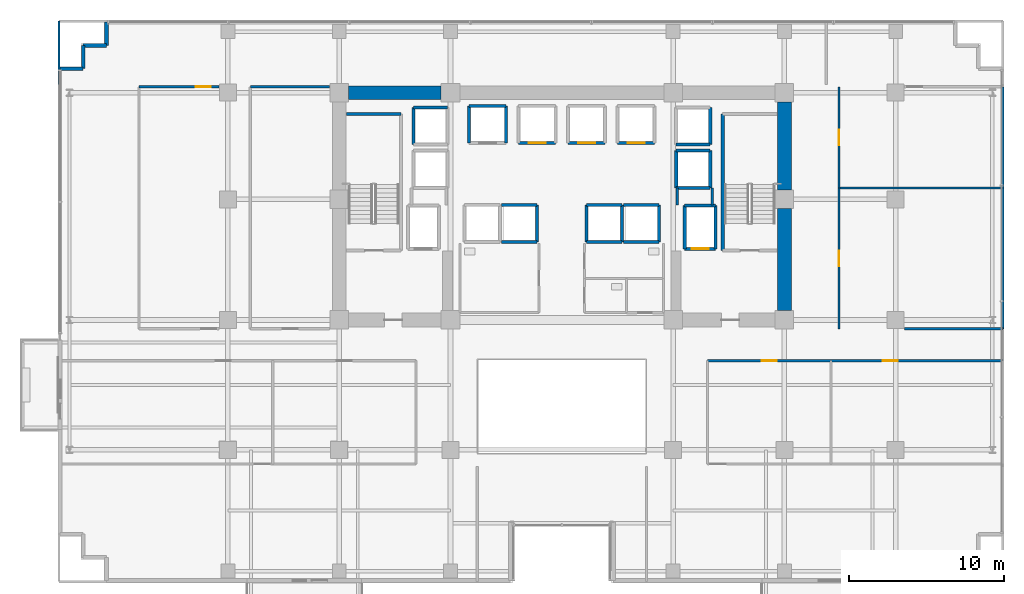
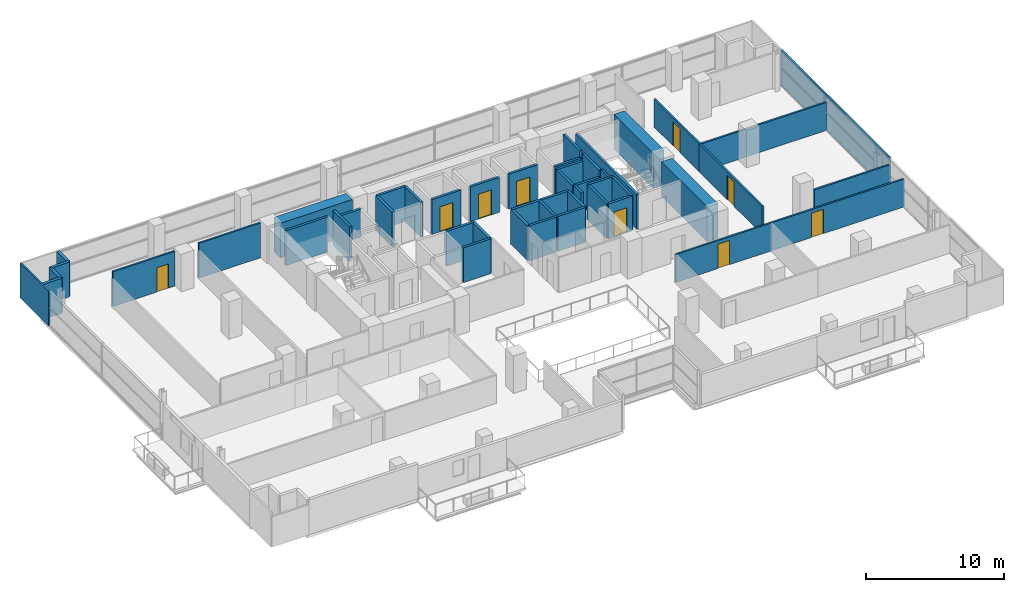
# One storey, part 25 of 30: 50 walls, 9 doors, 9 openings.
"""IFC4 building model written with IfcOpenShell, lengths in metres."""

from ifc_helpers import new_model, si_unit, direction, frame, frame_2d, origin, place, context, subcontext, project, spatial, rectangle, extrude, source, transform, mapped, material, layer, layer_set, type_object, element, fill, save


model = new_model("IFC4")

# Units and contexts
model_context = context("Model", 3, precision=1e-05, world=origin(), true_north=direction((0.0, 1.0)))
body_context = subcontext(model_context, "Body", "Model", "MODEL_VIEW")
ifc_project = project(units=[si_unit("LENGTHUNIT", "METRE"), si_unit("AREAUNIT", "SQUARE_METRE"), si_unit("VOLUMEUNIT", "CUBIC_METRE"), si_unit("PLANEANGLEUNIT", "RADIAN"), si_unit("MASSUNIT", "GRAM", prefix="KILO")], contexts=[model_context])

# Site, building, storey
site_placement = place(None, origin())
site = spatial("IfcSite", under=ifc_project, at=site_placement, CompositionType="ELEMENT")
building_placement = place(site_placement, origin())
building = spatial("IfcBuilding", under=site, at=building_placement, Name="Zarnakvel Exchange Tower", CompositionType="ELEMENT")
storey_placement = place(building_placement, frame((0.0, 0.0, 40.60009765625)))
storey = spatial("IfcBuildingStorey", under=building, at=storey_placement, Name="L10", CompositionType="ELEMENT", Elevation=40.60009765625)

# Walls
ifc_material_1 = material(Name="Concrete C80/95", Category="concrete")
ifc_layer_1 = layer(ifc_material_1, 0.89990234375)
ifc_layer_set_1 = layer_set([ifc_layer_1], Name="Concrete C80/95")
wall_type_1 = type_object("IfcWallType", Name="CW-C1", PredefinedType="SHEAR", material=ifc_layer_set_1)
wall_1_placement = place(storey_placement, frame((-13.800048828125, 13.5, 0.0), z_axis=(0.0, 0.0, 1.0), x_axis=(1.0, 0.0, 0.0)))
element("IfcWall", 1, at=wall_1_placement, inside=storey, type_object=wall_type_1, Name="L10 Rear Core Shear Wall N1 (CW-C1)", PredefinedType="SHEAR", context=body_context, shape_type="SweptSolid", body=[
    extrude(rectangle(XDim=6.0, YDim=0.89990234375, at=frame_2d((3.0, 0.0))), origin(), (0.0, 0.0, 1.0), 3.074951171875),
])
wall_2_placement = place(storey_placement, frame((14.39990234375, -0.60009765625, 0.0), z_axis=(0.0, 0.0, 1.0), x_axis=(0.0, 1.0, 0.0)))
element("IfcWall", 2, at=wall_2_placement, inside=storey, type_object=wall_type_1, Name="L10 Rear Core Shear Wall E1 (CW-C1)", PredefinedType="SHEAR", context=body_context, shape_type="SweptSolid", body=[
    extrude(rectangle(XDim=6.60009765625, YDim=0.89990234375, at=frame_2d((3.300048828125, 0.0))), origin(), (0.0, 0.0, 1.0), 3.074951171875),
])
wall_3_placement = place(storey_placement, frame((14.39990234375, 7.199951171875, 0.0), z_axis=(0.0, 0.0, 1.0), x_axis=(0.0, 1.0, 0.0)))
element("IfcWall", 3, at=wall_3_placement, inside=storey, type_object=wall_type_1, Name="L10 Rear Core Shear Wall E2 (CW-C1)", PredefinedType="SHEAR", context=body_context, shape_type="SweptSolid", body=[
    extrude(rectangle(XDim=5.699951171875, YDim=0.89990234375, at=frame_2d((2.85009765625, 0.0))), origin(), (0.0, 0.0, 1.0), 3.074951171875),
])
ifc_material_2 = material(Name="Precast concrete C40/50", Category="concrete")
ifc_layer_2 = layer(ifc_material_2, 0.239990234375)
ifc_layer_set_2 = layer_set([ifc_layer_2], Name="Precast concrete C40/50")
wall_type_2 = type_object("IfcWallType", Name="EW-02", PredefinedType="SOLIDWALL", material=ifc_layer_set_2)
for number, where, z_axis, x_axis, name in (
    (4, (-30.9599609375, 15.06005859375, 0.0), (0.0, 0.0, 1.0), (-1.0, 0.0, 0.0), "L10 Exterior Precast Spandrel Wall EWC-L10-03 (EW-02)"),
    (5, (-30.9599609375, 16.56005859375, 0.0), (0.0, 0.0, 1.0), (0.0, -1.0, 0.0), "L10 Exterior Precast Spandrel Wall EWC-L10-04 (EW-02)"),
    (6, (-29.4599609375, 16.56005859375, 0.0), (0.0, 0.0, 1.0), (-1.0, 0.0, 0.0), "L10 Exterior Precast Spandrel Wall EWC-L10-05 (EW-02)"),
    (7, (-29.4599609375, 18.06005859375, 0.0), (0.0, 0.0, 1.0), (0.0, -1.0, 0.0), "L10 Exterior Precast Spandrel Wall EWC-L10-06 (EW-02)"),
):
    element("IfcWall", number, at=place(storey_placement, frame(where, z_axis=z_axis, x_axis=x_axis)), inside=storey, type_object=wall_type_2, Name=name, PredefinedType="SOLIDWALL", context=body_context, shape_type="SweptSolid", body=[
        extrude(rectangle(XDim=1.5, YDim=0.239990234375, at=frame_2d((0.75, 0.0))), origin(), (0.0, 0.0, 1.0), 3.074951171875),
    ])

# Wall, opening, door
ifc_material_3 = material(Name="Fire-Rated Gypsum Stud Partition", Category="gypsum")
ifc_layer_3 = layer(ifc_material_3, 0.14990234375)
ifc_layer_set_3 = layer_set([ifc_layer_3], Name="Fire-Rated Gypsum Stud Partition")
wall_type_3 = type_object("IfcWallType", Name="PT-01", PredefinedType="PARTITIONING", material=ifc_layer_set_3)
wall_4_placement = place(storey_placement, frame((9.429931640625, -3.830078125, 0.0), z_axis=(0.0, 0.0, 1.0), x_axis=(1.0, 0.0, 0.0)))
wall_4 = element("IfcWall", 8, at=wall_4_placement, inside=storey, type_object=wall_type_3, Name="L10 Partition Wall PWALL-L10-033 (PT-01)", PredefinedType="PARTITIONING", context=body_context, shape_type="SweptSolid", body=[
    extrude(rectangle(XDim=7.985107421875, YDim=0.14990234375, at=frame_2d((3.99267578125, 0.0))), origin(), (0.0, 0.0, 1.0), 2.46484375),
])
opening_1_placement = place(wall_4_placement, frame((3.501953125, 0.0, 0.0)))
opening_1 = element("IfcOpeningElement", 9, at=opening_1_placement, cuts=wall_4, Name="Opening D-L10-12", PredefinedType="OPENING", context=body_context, shape_type="SweptSolid", body=[
    extrude(rectangle(XDim=0.97998046875, YDim=2.14990234375, at=frame_2d((0.489990234375, 1.074951171875))), frame((0.0, 0.0849609375, 0.0), z_axis=(0.0, -1.0, 0.0), x_axis=(1.0, 0.0, 0.0)), (0.0, 0.0, 1.0), 0.169921875),
])
ifc_material_4 = material(Name="Timber Acoustic Veneer", Category="wood")
door_type_1 = type_object("IfcDoorType", Name="DT-05", OperationType="NOTDEFINED", PredefinedType="DOOR", material=ifc_material_4)
shared_shape_1 = source(origin(), body_context, "Body", "SweptSolid", [
    extrude(rectangle(XDim=0.97998046875, YDim=2.14990234375, at=frame_2d((0.489990234375, 1.074951171875))), frame((0.0, 0.02490234375, 0.0), z_axis=(0.0, -1.0, 0.0), x_axis=(1.0, 0.0, 0.0)), (0.0, 0.0, 1.0), 0.050048828125),
])
door_1_placement = place(opening_1_placement, origin())
door_1 = element("IfcDoor", 10, at=door_1_placement, inside=storey, type_object=door_type_1, Name="L10 Executive Office Door D-L10-12", OperationType="SINGLE_SWING_RIGHT", OverallHeight=2.14990234375, OverallWidth=0.97998046875, PredefinedType="DOOR", context=body_context, shape_type="MappedRepresentation", body=[
    mapped(shared_shape_1, transform((0.0, 0.0, 0.0), x_axis=(1.0, 0.0, 0.0), y_axis=(0.0, 1.0, 0.0), z_axis=(0.0, 0.0, 1.0), scale=1.0)),
])
fill(opening_1, door_1)

wall_5_placement = place(storey_placement, frame((17.4150390625, -3.830078125, 0.0), z_axis=(0.0, 0.0, 1.0), x_axis=(1.0, 0.0, 0.0)))
wall_5 = element("IfcWall", 11, at=wall_5_placement, inside=storey, type_object=wall_type_3, Name="L10 Partition Wall PWALL-L10-037 (PT-01)", PredefinedType="PARTITIONING", context=body_context, shape_type="SweptSolid", body=[
    extrude(rectangle(XDim=11.114990234375, YDim=0.14990234375, at=frame_2d((5.5576171875, 0.0))), origin(), (0.0, 0.0, 1.0), 2.46484375),
])
opening_2_placement = place(wall_5_placement, frame((3.343017578125, 0.0, 0.0)))
opening_2 = element("IfcOpeningElement", 12, at=opening_2_placement, cuts=wall_5, Name="Opening D-L10-13", PredefinedType="OPENING", context=body_context, shape_type="SweptSolid", body=[
    extrude(rectangle(XDim=0.97998046875, YDim=2.14990234375, at=frame_2d((0.489990234375, 1.074951171875))), frame((0.0, 0.0849609375, 0.0), z_axis=(0.0, -1.0, 0.0), x_axis=(1.0, 0.0, 0.0)), (0.0, 0.0, 1.0), 0.169921875),
])
door_2_placement = place(opening_2_placement, origin())
door_2 = element("IfcDoor", 13, at=door_2_placement, inside=storey, type_object=door_type_1, Name="L10 Meeting Room Door D-L10-13", OperationType="SINGLE_SWING_LEFT", OverallHeight=2.14990234375, OverallWidth=0.97998046875, PredefinedType="DOOR", context=body_context, shape_type="MappedRepresentation", body=[
    mapped(shared_shape_1, transform((0.0, 0.0, 0.0), x_axis=(1.0, 0.0, 0.0), y_axis=(0.0, 1.0, 0.0), z_axis=(0.0, 0.0, 1.0), scale=1.0)),
])
fill(opening_2, door_2)

wall_6_placement = place(storey_placement, frame((-27.346435546875, 13.8798828125, 0.0), z_axis=(0.0, 0.0, 1.0), x_axis=(1.0, 0.0, 0.0)))
wall_6 = element("IfcWall", 14, at=wall_6_placement, inside=storey, type_object=wall_type_3, Name="L10 Partition Wall PWALL-L10-043 (PT-01)", PredefinedType="PARTITIONING", context=body_context, shape_type="SweptSolid", body=[
    extrude(rectangle(XDim=5.176513671875, YDim=0.14990234375, at=frame_2d((2.58837890625, 0.0))), origin(), (0.0, 0.0, 1.0), 3.074951171875),
])
opening_3_placement = place(wall_6_placement, frame((3.66650390625, 0.0, 0.0)))
opening_3 = element("IfcOpeningElement", 15, at=opening_3_placement, cuts=wall_6, Name="Opening D-L10-19", PredefinedType="OPENING", context=body_context, shape_type="SweptSolid", body=[
    extrude(rectangle(XDim=0.97998046875, YDim=2.14990234375, at=frame_2d((0.489990234375, 1.074951171875))), frame((0.0, 0.0849609375, 0.0), z_axis=(0.0, -1.0, 0.0), x_axis=(1.0, 0.0, 0.0)), (0.0, 0.0, 1.0), 0.169921875),
])
door_3_placement = place(opening_3_placement, origin())
door_3 = element("IfcDoor", 16, at=door_3_placement, inside=storey, type_object=door_type_1, Name="L10 Settlement Office Door D-L10-19", OperationType="SINGLE_SWING_LEFT", OverallHeight=2.14990234375, OverallWidth=0.97998046875, PredefinedType="DOOR", context=body_context, shape_type="MappedRepresentation", body=[
    mapped(shared_shape_1, transform((0.0, 0.0, 0.0), x_axis=(1.0, 0.0, 0.0), y_axis=(0.0, 1.0, 0.0), z_axis=(0.0, 0.0, 1.0), scale=1.0)),
])
fill(opening_3, door_3)

# Walls
wall_7_placement = place(storey_placement, frame((-20.153564453125, 13.8798828125, 0.0), z_axis=(0.0, 0.0, 1.0), x_axis=(1.0, 0.0, 0.0)))
element("IfcWall", 17, at=wall_7_placement, inside=storey, type_object=wall_type_3, Name="L10 Partition Wall PWALL-L10-047 (PT-01)", PredefinedType="PARTITIONING", context=body_context, shape_type="SweptSolid", body=[
    extrude(rectangle(XDim=5.133544921875, YDim=0.14990234375, at=frame_2d((2.56689453125, 0.0))), origin(), (0.0, 0.0, 1.0), 3.074951171875),
])
wall_8_placement = place(storey_placement, frame((28.530029296875, -1.77001953125, 0.0), z_axis=(0.0, 0.0, 1.0), x_axis=(-1.0, 0.0, 0.0)))
element("IfcWall", 18, at=wall_8_placement, inside=storey, type_object=wall_type_3, Name="L10 Partition Wall PWALL-L10-048 (PT-01)", PredefinedType="PARTITIONING", context=body_context, shape_type="SweptSolid", body=[
    extrude(rectangle(XDim=6.360107421875, YDim=0.14990234375, at=frame_2d((3.18017578125, 0.0))), origin(), (0.0, 0.0, 1.0), 2.46484375),
])
wall_9_placement = place(storey_placement, frame((17.929931640625, 7.33251953125, 0.0), z_axis=(0.0, 0.0, 1.0), x_axis=(1.0, 0.0, 0.0)))
element("IfcWall", 19, at=wall_9_placement, inside=storey, type_object=wall_type_3, Name="L10 Partition Wall PWALL-L10-049 (PT-01)", PredefinedType="PARTITIONING", context=body_context, shape_type="SweptSolid", body=[
    extrude(rectangle(XDim=10.60009765625, YDim=0.14990234375, at=frame_2d((5.300048828125, 0.0))), origin(), (0.0, 0.0, 1.0), 2.46484375),
])

# Wall, opening, door
wall_10_placement = place(storey_placement, frame((17.929931640625, -1.77001953125, 0.0), z_axis=(0.0, 0.0, 1.0), x_axis=(0.0, 1.0, 0.0)))
wall_10 = element("IfcWall", 20, at=wall_10_placement, inside=storey, type_object=wall_type_3, Name="L10 Partition Wall PWALL-L10-050 (PT-01)", PredefinedType="PARTITIONING", context=body_context, shape_type="SweptSolid", body=[
    extrude(rectangle(XDim=9.1025390625, YDim=0.14990234375, at=frame_2d((4.55126953125, 0.0))), origin(), (0.0, 0.0, 1.0), 2.46484375),
])
opening_4_placement = place(wall_10_placement, frame((4.06103515625, 0.0, 0.0)))
opening_4 = element("IfcOpeningElement", 21, at=opening_4_placement, cuts=wall_10, Name="Opening D-L10-17", PredefinedType="OPENING", context=body_context, shape_type="SweptSolid", body=[
    extrude(rectangle(XDim=0.97998046875, YDim=2.14990234375, at=frame_2d((0.489990234375, 1.074951171875))), frame((0.0, 0.0849609375, 0.0), z_axis=(0.0, -1.0, 0.0), x_axis=(1.0, 0.0, 0.0)), (0.0, 0.0, 1.0), 0.169921875),
])
door_4_placement = place(opening_4_placement, origin())
door_4 = element("IfcDoor", 22, at=door_4_placement, inside=storey, type_object=door_type_1, Name="L10 Breakout Pantry Door D-L10-17", OperationType="SINGLE_SWING_LEFT", OverallHeight=2.14990234375, OverallWidth=0.97998046875, PredefinedType="DOOR", context=body_context, shape_type="MappedRepresentation", body=[
    mapped(shared_shape_1, transform((0.0, 0.0, 0.0), x_axis=(1.0, 0.0, 0.0), y_axis=(0.0, 1.0, 0.0), z_axis=(0.0, 0.0, 1.0), scale=1.0)),
])
fill(opening_4, door_4)

# Wall
wall_11_placement = place(storey_placement, frame((28.530029296875, 7.33251953125, 0.0), z_axis=(0.0, 0.0, 1.0), x_axis=(0.0, -1.0, 0.0)))
element("IfcWall", 23, at=wall_11_placement, inside=storey, type_object=wall_type_3, Name="L10 Partition Wall PWALL-L10-051 (PT-01)", PredefinedType="PARTITIONING", context=body_context, shape_type="SweptSolid", body=[
    extrude(rectangle(XDim=9.1025390625, YDim=0.14990234375, at=frame_2d((4.55126953125, 0.0))), origin(), (0.0, 0.0, 1.0), 3.074951171875),
])

# Wall, opening, door
wall_12_placement = place(storey_placement, frame((17.929931640625, 7.33251953125, 0.0), z_axis=(0.0, 0.0, 1.0), x_axis=(0.0, 1.0, 0.0)))
wall_12 = element("IfcWall", 24, at=wall_12_placement, inside=storey, type_object=wall_type_3, Name="L10 Partition Wall PWALL-L10-053 (PT-01)", PredefinedType="PARTITIONING", context=body_context, shape_type="SweptSolid", body=[
    extrude(rectangle(XDim=6.54736328125, YDim=0.14990234375, at=frame_2d((3.273681640625, 0.0))), origin(), (0.0, 0.0, 1.0), 2.46484375),
])
opening_5_placement = place(wall_12_placement, frame((2.783447265625, 0.0, 0.0)))
opening_5 = element("IfcOpeningElement", 25, at=opening_5_placement, cuts=wall_12, Name="Opening D-L10-18", PredefinedType="OPENING", context=body_context, shape_type="SweptSolid", body=[
    extrude(rectangle(XDim=0.97998046875, YDim=2.14990234375, at=frame_2d((0.489990234375, 1.074951171875))), frame((0.0, 0.0849609375, 0.0), z_axis=(0.0, -1.0, 0.0), x_axis=(1.0, 0.0, 0.0)), (0.0, 0.0, 1.0), 0.169921875),
])
door_5_placement = place(opening_5_placement, origin())
door_5 = element("IfcDoor", 26, at=door_5_placement, inside=storey, type_object=door_type_1, Name="L10 Settlement Office Door D-L10-18", OperationType="SINGLE_SWING_RIGHT", OverallHeight=2.14990234375, OverallWidth=0.97998046875, PredefinedType="DOOR", context=body_context, shape_type="MappedRepresentation", body=[
    mapped(shared_shape_1, transform((0.0, 0.0, 0.0), x_axis=(1.0, 0.0, 0.0), y_axis=(0.0, 1.0, 0.0), z_axis=(0.0, 0.0, 1.0), scale=1.0)),
])
fill(opening_5, door_5)

# Walls
wall_13_placement = place(storey_placement, frame((28.530029296875, 13.8798828125, 0.0), z_axis=(0.0, 0.0, 1.0), x_axis=(0.0, -1.0, 0.0)))
element("IfcWall", 27, at=wall_13_placement, inside=storey, type_object=wall_type_3, Name="L10 Partition Wall PWALL-L10-054 (PT-01)", PredefinedType="PARTITIONING", context=body_context, shape_type="SweptSolid", body=[
    extrude(rectangle(XDim=6.54736328125, YDim=0.14990234375, at=frame_2d((3.273681640625, 0.0))), origin(), (0.0, 0.0, 1.0), 3.074951171875),
])
wall_14_placement = place(storey_placement, frame((-32.530029296875, 14.030029296875, 0.0), z_axis=(0.0, 0.0, 1.0), x_axis=(0.0, 1.0, 0.0)))
element("IfcWall", 28, at=wall_14_placement, inside=storey, type_object=wall_type_3, Name="L10 Partition Wall PWALL-L10-056 (PT-01)", PredefinedType="PARTITIONING", context=body_context, shape_type="SweptSolid", body=[
    extrude(rectangle(XDim=4.099853515625, YDim=0.14990234375, at=frame_2d((2.0498046875, 0.0))), origin(), (0.0, 0.0, 1.0), 3.074951171875),
])
ifc_layer_4 = layer(ifc_material_3, 0.179931640625)
ifc_layer_set_4 = layer_set([ifc_layer_4], Name="Fire-Rated Gypsum Stud Partition")
wall_type_4 = type_object("IfcWallType", Name="PT-02", PredefinedType="PARTITIONING", material=ifc_layer_set_4)
wall_15_placement = place(storey_placement, frame((7.469970703125, 6.239990234375, 0.0), z_axis=(0.0, 0.0, 1.0), x_axis=(0.0, 1.0, 0.0)))
element("IfcWall", 29, at=wall_15_placement, inside=storey, type_object=wall_type_4, Name="L10 Partition Wall PWALL-L10-009 (PT-02)", PredefinedType="PARTITIONING", context=body_context, shape_type="SweptSolid", body=[
    extrude(rectangle(XDim=1.090087890625, YDim=0.179931640625, at=frame_2d((0.544921875, 0.0))), origin(), (0.0, 0.0, 1.0), 2.46484375),
])
wall_16_placement = place(storey_placement, frame((9.72998046875, 7.330078125, 0.0), z_axis=(0.0, 0.0, 1.0), x_axis=(0.0, -1.0, 0.0)))
element("IfcWall", 30, at=wall_16_placement, inside=storey, type_object=wall_type_4, Name="L10 Partition Wall PWALL-L10-010 (PT-02)", PredefinedType="PARTITIONING", context=body_context, shape_type="SweptSolid", body=[
    extrude(rectangle(XDim=1.090087890625, YDim=0.179931640625, at=frame_2d((0.544921875, 0.0))), origin(), (0.0, 0.0, 1.0), 3.074951171875),
])

# Wall, opening, door
ifc_material_5 = material(Name="Concrete C40/50", Category="concrete")
ifc_layer_5 = layer(ifc_material_5, 0.199951171875)
ifc_layer_set_5 = layer_set([ifc_layer_5], Name="Concrete C40/50")
wall_type_5 = type_object("IfcWallType", Name="SW-01", PredefinedType="SOLIDWALL", material=ifc_layer_set_5)
wall_17_placement = place(storey_placement, frame((9.949951171875, 3.39990234375, 0.0), z_axis=(0.0, 0.0, 1.0), x_axis=(-1.0, 0.0, 0.0)))
wall_17 = element("IfcWall", 31, at=wall_17_placement, inside=storey, type_object=wall_type_5, Name="L10 FL-02 Hoistway Wall South", PredefinedType="SOLIDWALL", context=body_context, shape_type="SweptSolid", body=[
    extrude(rectangle(XDim=2.0, YDim=0.199951171875, at=frame_2d((1.0, 0.0))), origin(), (0.0, 0.0, 1.0), 3.074951171875),
])
opening_6_placement = place(wall_17_placement, frame((0.449951171875, 0.0, 0.0)))
opening_6 = element("IfcOpeningElement", 32, at=opening_6_placement, cuts=wall_17, Name="Opening LD-FL-02-L10", PredefinedType="OPENING", context=body_context, shape_type="SweptSolid", body=[
    extrude(rectangle(XDim=1.10009765625, YDim=2.199951171875, at=frame_2d((0.550048828125, 1.10009765625))), frame((0.0, 0.10986328125, 0.0), z_axis=(0.0, -1.0, 0.0), x_axis=(1.0, 0.0, 0.0)), (0.0, 0.0, 1.0), 0.219970703125),
])
ifc_material_6 = material(Name="Brushed Stainless Steel", Category="steel")
door_type_2 = type_object("IfcDoorType", Name="LDT-01", OperationType="NOTDEFINED", PredefinedType="DOOR", material=ifc_material_6)
shared_shape_2 = source(origin(), body_context, "Body", "SweptSolid", [
    extrude(rectangle(XDim=1.10009765625, YDim=2.199951171875, at=frame_2d((0.550048828125, 1.10009765625))), frame((0.0, 0.02490234375, 0.0), z_axis=(0.0, -1.0, 0.0), x_axis=(1.0, 0.0, 0.0)), (0.0, 0.0, 1.0), 0.050048828125),
])
door_6_placement = place(opening_6_placement, origin())
door_6 = element("IfcDoor", 33, at=door_6_placement, inside=storey, type_object=door_type_2, Name="L10 FL-02 Lift Landing Door LD-FL-02-L10", OperationType="DOUBLE_DOOR_SLIDING", OverallHeight=2.199951171875, OverallWidth=1.10009765625, PredefinedType="DOOR", context=body_context, shape_type="MappedRepresentation", body=[
    mapped(shared_shape_2, transform((0.0, 0.0, 0.0), x_axis=(1.0, 0.0, 0.0), y_axis=(0.0, 1.0, 0.0), z_axis=(0.0, 0.0, 1.0), scale=1.0)),
])
fill(opening_6, door_6)

# Walls
wall_18_placement = place(storey_placement, frame((7.949951171875, 6.199951171875, 0.0), z_axis=(0.0, 0.0, 1.0), x_axis=(1.0, 0.0, 0.0)))
element("IfcWall", 34, at=wall_18_placement, inside=storey, type_object=wall_type_5, Name="L10 FL-02 Hoistway Wall North", PredefinedType="SOLIDWALL", context=body_context, shape_type="SweptSolid", body=[
    extrude(rectangle(XDim=2.0, YDim=0.199951171875, at=frame_2d((1.0, 0.0))), origin(), (0.0, 0.0, 1.0), 3.074951171875),
])
for number, where, z_axis, x_axis, name in (
    (35, (7.949951171875, 3.39990234375, 0.0), (0.0, 0.0, 1.0), (0.0, 1.0, 0.0), "L10 FL-02 Hoistway Wall West"),
    (36, (9.949951171875, 6.199951171875, 0.0), (0.0, 0.0, 1.0), (0.0, -1.0, 0.0), "L10 FL-02 Hoistway Wall East"),
):
    element("IfcWall", number, at=place(storey_placement, frame(where, z_axis=z_axis, x_axis=x_axis)), inside=storey, type_object=wall_type_5, Name=name, PredefinedType="SOLIDWALL", context=body_context, shape_type="SweptSolid", body=[
        extrude(rectangle(XDim=2.800048828125, YDim=0.199951171875, at=frame_2d((1.39990234375, 0.0))), origin(), (0.0, 0.0, 1.0), 3.074951171875),
    ])
for number, where, z_axis, x_axis, name in (
    (37, (-6.0, 12.64990234375, 0.0), (0.0, 0.0, 1.0), (1.0, 0.0, 0.0), "L10 PL-01 Hoistway Wall North"),
    (38, (-6.0, 10.25, 0.0), (0.0, 0.0, 1.0), (0.0, 1.0, 0.0), "L10 PL-01 Hoistway Wall West"),
    (39, (-3.60009765625, 12.64990234375, 0.0), (0.0, 0.0, 1.0), (0.0, -1.0, 0.0), "L10 PL-01 Hoistway Wall East"),
):
    element("IfcWall", number, at=place(storey_placement, frame(where, z_axis=z_axis, x_axis=x_axis)), inside=storey, type_object=wall_type_5, Name=name, PredefinedType="SOLIDWALL", context=body_context, shape_type="SweptSolid", body=[
        extrude(rectangle(XDim=2.39990234375, YDim=0.199951171875, at=frame_2d((1.199951171875, 0.0))), origin(), (0.0, 0.0, 1.0), 3.074951171875),
    ])

# Wall, opening, door
wall_19_placement = place(storey_placement, frame((-0.39990234375, 10.25, 0.0), z_axis=(0.0, 0.0, 1.0), x_axis=(-1.0, 0.0, 0.0)))
wall_19 = element("IfcWall", 40, at=wall_19_placement, inside=storey, type_object=wall_type_5, Name="L10 PL-02 Hoistway Wall South", PredefinedType="SOLIDWALL", context=body_context, shape_type="SweptSolid", body=[
    extrude(rectangle(XDim=2.400146484375, YDim=0.199951171875, at=frame_2d((1.2001953125, 0.0))), origin(), (0.0, 0.0, 1.0), 3.074951171875),
])
opening_7_placement = place(wall_19_placement, frame((0.64990234375, 0.0, 0.0)))
opening_7 = element("IfcOpeningElement", 41, at=opening_7_placement, cuts=wall_19, Name="Opening LD-PL-02-L10", PredefinedType="OPENING", context=body_context, shape_type="SweptSolid", body=[
    extrude(rectangle(XDim=1.10009765625, YDim=2.199951171875, at=frame_2d((0.550048828125, 1.10009765625))), frame((0.0, 0.10986328125, 0.0), z_axis=(0.0, -1.0, 0.0), x_axis=(1.0, 0.0, 0.0)), (0.0, 0.0, 1.0), 0.219970703125),
])
ifc_material_7 = material(Name="Architectural Bronze Anodised Aluminium", Category="aluminium")
door_type_3 = type_object("IfcDoorType", Name="LDT-02", OperationType="NOTDEFINED", PredefinedType="DOOR", material=ifc_material_7)
door_7_placement = place(opening_7_placement, origin())
door_7 = element("IfcDoor", 42, at=door_7_placement, inside=storey, type_object=door_type_3, Name="L10 PL-02 Lift Landing Door LD-PL-02-L10", OperationType="DOUBLE_DOOR_SLIDING", OverallHeight=2.199951171875, OverallWidth=1.10009765625, PredefinedType="DOOR", context=body_context, shape_type="MappedRepresentation", body=[
    mapped(shared_shape_2, transform((0.0, 0.0, 0.0), x_axis=(1.0, 0.0, 0.0), y_axis=(0.0, 1.0, 0.0), z_axis=(0.0, 0.0, 1.0), scale=1.0)),
])
fill(opening_7, door_7)

wall_20_placement = place(storey_placement, frame((2.800048828125, 10.25, 0.0), z_axis=(0.0, 0.0, 1.0), x_axis=(-1.0, 0.0, 0.0)))
wall_20 = element("IfcWall", 43, at=wall_20_placement, inside=storey, type_object=wall_type_5, Name="L10 PL-03 Hoistway Wall South", PredefinedType="SOLIDWALL", context=body_context, shape_type="SweptSolid", body=[
    extrude(rectangle(XDim=2.400146484375, YDim=0.199951171875, at=frame_2d((1.2001953125, 0.0))), origin(), (0.0, 0.0, 1.0), 3.074951171875),
])
opening_8_placement = place(wall_20_placement, frame((0.64990234375, 0.0, 0.0)))
opening_8 = element("IfcOpeningElement", 44, at=opening_8_placement, cuts=wall_20, Name="Opening LD-PL-03-L10", PredefinedType="OPENING", context=body_context, shape_type="SweptSolid", body=[
    extrude(rectangle(XDim=1.10009765625, YDim=2.199951171875, at=frame_2d((0.550048828125, 1.10009765625))), frame((0.0, 0.10986328125, 0.0), z_axis=(0.0, -1.0, 0.0), x_axis=(1.0, 0.0, 0.0)), (0.0, 0.0, 1.0), 0.219970703125),
])
door_8_placement = place(opening_8_placement, origin())
door_8 = element("IfcDoor", 45, at=door_8_placement, inside=storey, type_object=door_type_3, Name="L10 PL-03 Lift Landing Door LD-PL-03-L10", OperationType="DOUBLE_DOOR_SLIDING", OverallHeight=2.199951171875, OverallWidth=1.10009765625, PredefinedType="DOOR", context=body_context, shape_type="MappedRepresentation", body=[
    mapped(shared_shape_2, transform((0.0, 0.0, 0.0), x_axis=(1.0, 0.0, 0.0), y_axis=(0.0, 1.0, 0.0), z_axis=(0.0, 0.0, 1.0), scale=1.0)),
])
fill(opening_8, door_8)

wall_21_placement = place(storey_placement, frame((6.0, 10.25, 0.0), z_axis=(0.0, 0.0, 1.0), x_axis=(-1.0, 0.0, 0.0)))
wall_21 = element("IfcWall", 46, at=wall_21_placement, inside=storey, type_object=wall_type_5, Name="L10 PL-04 Hoistway Wall South", PredefinedType="SOLIDWALL", context=body_context, shape_type="SweptSolid", body=[
    extrude(rectangle(XDim=2.39990234375, YDim=0.199951171875, at=frame_2d((1.199951171875, 0.0))), origin(), (0.0, 0.0, 1.0), 3.074951171875),
])
opening_9_placement = place(wall_21_placement, frame((0.64990234375, 0.0, 0.0)))
opening_9 = element("IfcOpeningElement", 47, at=opening_9_placement, cuts=wall_21, Name="Opening LD-PL-04-L10", PredefinedType="OPENING", context=body_context, shape_type="SweptSolid", body=[
    extrude(rectangle(XDim=1.10009765625, YDim=2.199951171875, at=frame_2d((0.550048828125, 1.10009765625))), frame((0.0, 0.10986328125, 0.0), z_axis=(0.0, -1.0, 0.0), x_axis=(1.0, 0.0, 0.0)), (0.0, 0.0, 1.0), 0.219970703125),
])
door_9_placement = place(opening_9_placement, origin())
door_9 = element("IfcDoor", 48, at=door_9_placement, inside=storey, type_object=door_type_3, Name="L10 PL-04 Lift Landing Door LD-PL-04-L10", OperationType="DOUBLE_DOOR_SLIDING", OverallHeight=2.199951171875, OverallWidth=1.10009765625, PredefinedType="DOOR", context=body_context, shape_type="MappedRepresentation", body=[
    mapped(shared_shape_2, transform((0.0, 0.0, 0.0), x_axis=(1.0, 0.0, 0.0), y_axis=(0.0, 1.0, 0.0), z_axis=(0.0, 0.0, 1.0), scale=1.0)),
])
fill(opening_9, door_9)

# Walls
for number, where, z_axis, x_axis, name in (
    (49, (-1.60009765625, 3.85009765625, 0.0), (0.0, 0.0, 1.0), (-1.0, 0.0, 0.0), "L10 PL-06 Hoistway Wall South"),
    (50, (-3.89990234375, 6.25, 0.0), (0.0, 0.0, 1.0), (1.0, 0.0, 0.0), "L10 PL-06 Hoistway Wall North"),
):
    element("IfcWall", number, at=place(storey_placement, frame(where, z_axis=z_axis, x_axis=x_axis)), inside=storey, type_object=wall_type_5, Name=name, PredefinedType="SOLIDWALL", context=body_context, shape_type="SweptSolid", body=[
        extrude(rectangle(XDim=2.2998046875, YDim=0.199951171875, at=frame_2d((1.14990234375, 0.0))), origin(), (0.0, 0.0, 1.0), 3.074951171875),
    ])
wall_22_placement = place(storey_placement, frame((-1.60009765625, 6.25, 0.0), z_axis=(0.0, 0.0, 1.0), x_axis=(0.0, -1.0, 0.0)))
element("IfcWall", 51, at=wall_22_placement, inside=storey, type_object=wall_type_5, Name="L10 PL-06 Hoistway Wall East", PredefinedType="SOLIDWALL", context=body_context, shape_type="SweptSolid", body=[
    extrude(rectangle(XDim=2.39990234375, YDim=0.199951171875, at=frame_2d((1.199951171875, 0.0))), origin(), (0.0, 0.0, 1.0), 3.074951171875),
])
for number, where, z_axis, x_axis, name in (
    (52, (3.89990234375, 3.85009765625, 0.0), (0.0, 0.0, 1.0), (-1.0, 0.0, 0.0), "L10 PL-07 Hoistway Wall South"),
    (53, (1.60009765625, 6.25, 0.0), (0.0, 0.0, 1.0), (1.0, 0.0, 0.0), "L10 PL-07 Hoistway Wall North"),
):
    element("IfcWall", number, at=place(storey_placement, frame(where, z_axis=z_axis, x_axis=x_axis)), inside=storey, type_object=wall_type_5, Name=name, PredefinedType="SOLIDWALL", context=body_context, shape_type="SweptSolid", body=[
        extrude(rectangle(XDim=2.2998046875, YDim=0.199951171875, at=frame_2d((1.14990234375, 0.0))), origin(), (0.0, 0.0, 1.0), 3.074951171875),
    ])
for number, where, z_axis, x_axis, name in (
    (54, (1.60009765625, 3.85009765625, 0.0), (0.0, 0.0, 1.0), (0.0, 1.0, 0.0), "L10 PL-07 Hoistway Wall West"),
    (55, (3.89990234375, 6.25, 0.0), (0.0, 0.0, 1.0), (0.0, -1.0, 0.0), "L10 PL-07 Hoistway Wall East"),
):
    element("IfcWall", number, at=place(storey_placement, frame(where, z_axis=z_axis, x_axis=x_axis)), inside=storey, type_object=wall_type_5, Name=name, PredefinedType="SOLIDWALL", context=body_context, shape_type="SweptSolid", body=[
        extrude(rectangle(XDim=2.39990234375, YDim=0.199951171875, at=frame_2d((1.199951171875, 0.0))), origin(), (0.0, 0.0, 1.0), 3.074951171875),
    ])
for number, where, z_axis, x_axis, name in (
    (56, (6.300048828125, 3.85009765625, 0.0), (0.0, 0.0, 1.0), (-1.0, 0.0, 0.0), "L10 PL-08 Hoistway Wall South"),
    (57, (4.0, 6.25, 0.0), (0.0, 0.0, 1.0), (1.0, 0.0, 0.0), "L10 PL-08 Hoistway Wall North"),
):
    element("IfcWall", number, at=place(storey_placement, frame(where, z_axis=z_axis, x_axis=x_axis)), inside=storey, type_object=wall_type_5, Name=name, PredefinedType="SOLIDWALL", context=body_context, shape_type="SweptSolid", body=[
        extrude(rectangle(XDim=2.300048828125, YDim=0.199951171875, at=frame_2d((1.14990234375, 0.0))), origin(), (0.0, 0.0, 1.0), 3.074951171875),
    ])
wall_23_placement = place(storey_placement, frame((6.300048828125, 6.25, 0.0), z_axis=(0.0, 0.0, 1.0), x_axis=(0.0, -1.0, 0.0)))
element("IfcWall", 58, at=wall_23_placement, inside=storey, type_object=wall_type_5, Name="L10 PL-08 Hoistway Wall East", PredefinedType="SOLIDWALL", context=body_context, shape_type="SweptSolid", body=[
    extrude(rectangle(XDim=2.39990234375, YDim=0.199951171875, at=frame_2d((1.199951171875, 0.0))), origin(), (0.0, 0.0, 1.0), 3.074951171875),
])
wall_24_placement = place(storey_placement, frame((-9.60009765625, 12.550048828125, 0.0), z_axis=(0.0, 0.0, 1.0), x_axis=(1.0, 0.0, 0.0)))
element("IfcWall", 59, at=wall_24_placement, inside=storey, type_object=wall_type_5, Name="L10 PL-10 Hoistway Wall North", PredefinedType="SOLIDWALL", context=body_context, shape_type="SweptSolid", body=[
    extrude(rectangle(XDim=2.2001953125, YDim=0.199951171875, at=frame_2d((1.10009765625, 0.0))), origin(), (0.0, 0.0, 1.0), 2.46484375),
])
wall_25_placement = place(storey_placement, frame((-9.60009765625, 10.14990234375, 0.0), z_axis=(0.0, 0.0, 1.0), x_axis=(0.0, 1.0, 0.0)))
element("IfcWall", 60, at=wall_25_placement, inside=storey, type_object=wall_type_5, Name="L10 PL-10 Hoistway Wall West", PredefinedType="SOLIDWALL", context=body_context, shape_type="SweptSolid", body=[
    extrude(rectangle(XDim=2.400146484375, YDim=0.199951171875, at=frame_2d((1.2001953125, 0.0))), origin(), (0.0, 0.0, 1.0), 3.074951171875),
])
for number, where, z_axis, x_axis, name in (
    (61, (9.60009765625, 7.35009765625, 0.0), (0.0, 0.0, 1.0), (-1.0, 0.0, 0.0), "L10 PL-11 Hoistway Wall South"),
    (62, (7.39990234375, 9.75, 0.0), (0.0, 0.0, 1.0), (1.0, 0.0, 0.0), "L10 PL-11 Hoistway Wall North"),
):
    element("IfcWall", number, at=place(storey_placement, frame(where, z_axis=z_axis, x_axis=x_axis)), inside=storey, type_object=wall_type_5, Name=name, PredefinedType="SOLIDWALL", context=body_context, shape_type="SweptSolid", body=[
        extrude(rectangle(XDim=2.2001953125, YDim=0.199951171875, at=frame_2d((1.10009765625, 0.0))), origin(), (0.0, 0.0, 1.0), 2.46484375),
    ])
wall_26_placement = place(storey_placement, frame((7.39990234375, 7.35009765625, 0.0), z_axis=(0.0, 0.0, 1.0), x_axis=(0.0, 1.0, 0.0)))
element("IfcWall", 63, at=wall_26_placement, inside=storey, type_object=wall_type_5, Name="L10 PL-11 Hoistway Wall West", PredefinedType="SOLIDWALL", context=body_context, shape_type="SweptSolid", body=[
    extrude(rectangle(XDim=2.39990234375, YDim=0.199951171875, at=frame_2d((1.199951171875, 0.0))), origin(), (0.0, 0.0, 1.0), 2.46484375),
])
wall_27_placement = place(storey_placement, frame((9.60009765625, 9.75, 0.0), z_axis=(0.0, 0.0, 1.0), x_axis=(0.0, -1.0, 0.0)))
element("IfcWall", 64, at=wall_27_placement, inside=storey, type_object=wall_type_5, Name="L10 PL-11 Hoistway Wall East", PredefinedType="SOLIDWALL", context=body_context, shape_type="SweptSolid", body=[
    extrude(rectangle(XDim=2.39990234375, YDim=0.199951171875, at=frame_2d((1.199951171875, 0.0))), origin(), (0.0, 0.0, 1.0), 3.074951171875),
])
wall_28_placement = place(storey_placement, frame((9.60009765625, 10.14990234375, 0.0), z_axis=(0.0, 0.0, 1.0), x_axis=(-1.0, 0.0, 0.0)))
element("IfcWall", 65, at=wall_28_placement, inside=storey, type_object=wall_type_5, Name="L10 PL-12 Hoistway Wall South", PredefinedType="SOLIDWALL", context=body_context, shape_type="SweptSolid", body=[
    extrude(rectangle(XDim=2.2001953125, YDim=0.199951171875, at=frame_2d((1.10009765625, 0.0))), origin(), (0.0, 0.0, 1.0), 2.46484375),
])
wall_29_placement = place(storey_placement, frame((9.60009765625, 12.550048828125, 0.0), z_axis=(0.0, 0.0, 1.0), x_axis=(0.0, -1.0, 0.0)))
element("IfcWall", 66, at=wall_29_placement, inside=storey, type_object=wall_type_5, Name="L10 PL-12 Hoistway Wall East", PredefinedType="SOLIDWALL", context=body_context, shape_type="SweptSolid", body=[
    extrude(rectangle(XDim=2.400146484375, YDim=0.199951171875, at=frame_2d((1.2001953125, 0.0))), origin(), (0.0, 0.0, 1.0), 3.074951171875),
])
ifc_layer_6 = layer(ifc_material_5, 0.199951171875)
ifc_layer_set_6 = layer_set([ifc_layer_6], Name="Concrete C40/50")
wall_type_6 = type_object("IfcWallType", Name="SW-02", PredefinedType="SOLIDWALL", material=ifc_layer_set_6)
wall_30_placement = place(storey_placement, frame((-13.929931640625, 12.1298828125, 0.0), z_axis=(0.0, 0.0, 1.0), x_axis=(1.0, 0.0, 0.0)))
element("IfcWall", 67, at=wall_30_placement, inside=storey, type_object=wall_type_6, Name="L10 Stairwell Core Wall PWALL-L10-002 (SW-02)", PredefinedType="SOLIDWALL", context=body_context, shape_type="SweptSolid", body=[
    extrude(rectangle(XDim=3.52001953125, YDim=0.199951171875, at=frame_2d((1.760009765625, 0.0))), origin(), (0.0, 0.0, 1.0), 3.074951171875),
])
wall_31_placement = place(storey_placement, frame((10.409912109375, 3.2900390625, 0.0), z_axis=(0.0, 0.0, 1.0), x_axis=(0.0, 1.0, 0.0)))
element("IfcWall", 68, at=wall_31_placement, inside=storey, type_object=wall_type_6, Name="L10 Stairwell Core Wall PWALL-L10-006 (SW-02)", PredefinedType="SOLIDWALL", context=body_context, shape_type="SweptSolid", body=[
    extrude(rectangle(XDim=8.83984375, YDim=0.199951171875, at=frame_2d((4.419921875, 0.0))), origin(), (0.0, 0.0, 1.0), 3.074951171875),
])

save(model, "model.ifc")
